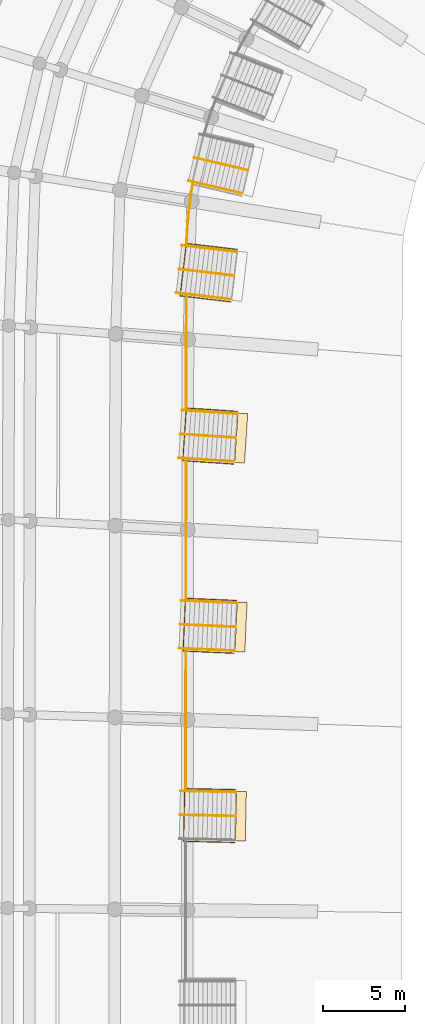
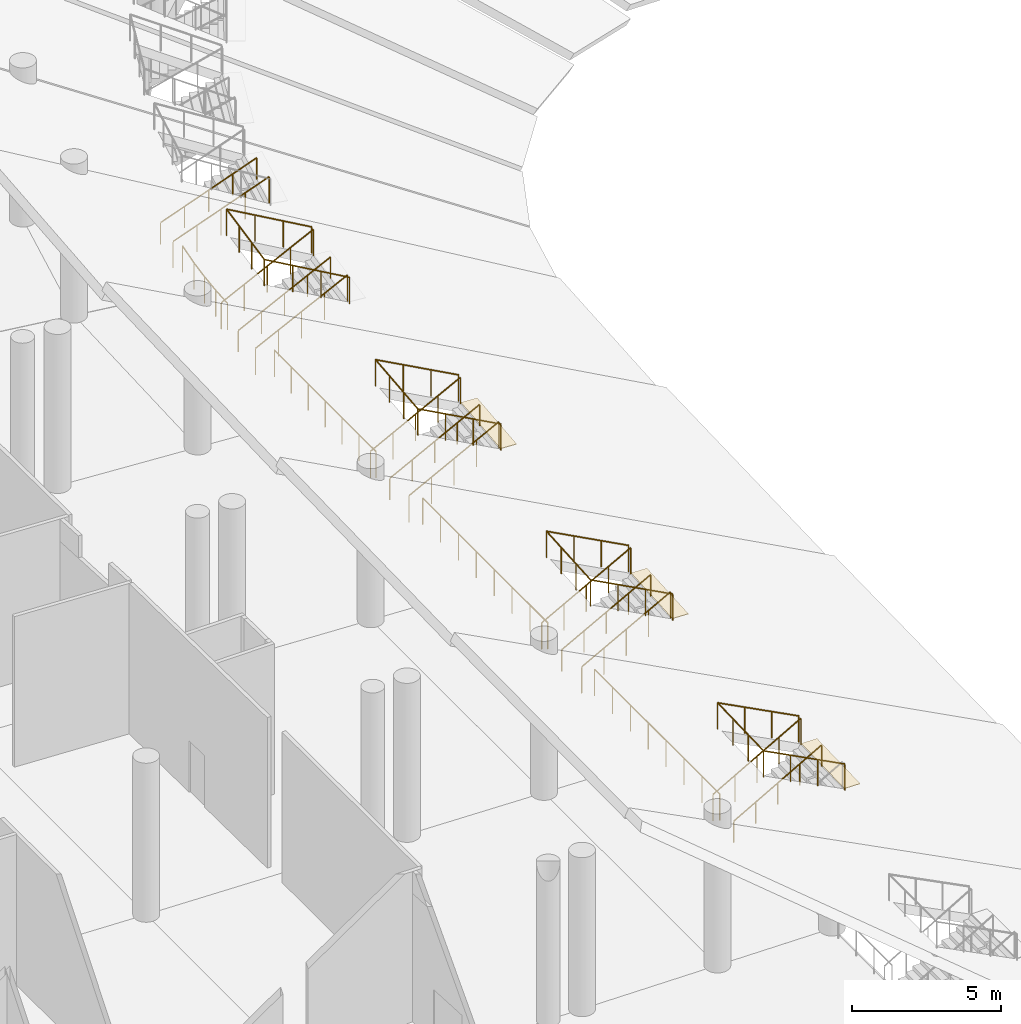
# One storey, part 228 of 255: 21 railings, 3 coverings.
"""IFC4 building model written with IfcOpenShell, lengths in metres."""

from ifc_helpers import new_model, si_unit, direction, frame, origin, origin_2d, place, context, subcontext, project, spatial, rectangle, circle, extrude, material, layer, layer_set, type_object, element, save


model = new_model("IFC4")

# Units and contexts
model_context = context("Model", 3, precision=1e-05, world=origin(), true_north=direction((0.0, 1.0)))
body_context = subcontext(model_context, "Body", "Model", "MODEL_VIEW")
ifc_project = project(units=[si_unit("LENGTHUNIT", "METRE"), si_unit("AREAUNIT", "SQUARE_METRE"), si_unit("VOLUMEUNIT", "CUBIC_METRE"), si_unit("PLANEANGLEUNIT", "RADIAN"), si_unit("MASSUNIT", "GRAM", prefix="KILO")], contexts=[model_context])

# Site, building, storey
site_placement = place(None, origin())
site = spatial("IfcSite", under=ifc_project, at=site_placement, CompositionType="ELEMENT")
building_placement = place(site_placement, origin())
building = spatial("IfcBuilding", under=site, at=building_placement, Name="Meseta Stadium", CompositionType="ELEMENT")
storey_placement = place(building_placement, origin())
storey = spatial("IfcBuildingStorey", under=building, at=storey_placement, Name="L00", CompositionType="ELEMENT", Elevation=0.0)

# Railings
ifc_material_1 = material(Name="Steel S355", Category="steel")
railing_type_1 = type_object("IfcRailingType", Name="Plate edge guard 1100", PredefinedType="GUARDRAIL", material=ifc_material_1)
railing_1_placement = place(storey_placement, frame((-53.679931640625, 49.806640625, 0.0)))
element("IfcRailing", 1, at=railing_1_placement, inside=storey, type_object=railing_type_1, Name="L00 inner edge guard 29", PredefinedType="GUARDRAIL", context=body_context, shape_type="SweptSolid", body=[
    extrude(circle(Radius=0.02490234375, at=origin_2d()), frame((0.0, 0.0, 1.0751953125), z_axis=(-0.150740722713, -0.988573332897, 0.0), x_axis=(0.988573332897, -0.150740722713, 0.0)), (0.0, 0.0, 1.0), 1.059326171875),
    extrude(circle(Radius=0.02490234375, at=origin_2d()), frame((-0.15966796875, -1.047119140625, 1.0751953125), z_axis=(-0.112509767376, -0.993650618802, 0.0), x_axis=(0.993650618802, -0.112509767376, 0.0)), (0.0, 0.0, 1.0), 0.876708984375),
    extrude(circle(Radius=0.02490234375, at=origin_2d()), frame((-0.25830078125, -1.918212890625, 1.0751953125), z_axis=(-0.080210130569, -0.99677797676, 0.0), x_axis=(0.99677797676, -0.080210130569, 0.0)), (0.0, 0.0, 1.0), 0.876708984375),
    extrude(circle(Radius=0.02490234375, at=origin_2d()), frame((-0.32861328125, -2.7919921875, 1.0751953125), z_axis=(-0.047537937473, -0.99886943316, 0.0), x_axis=(0.99886943316, -0.047537937473, 0.0)), (0.0, 0.0, 1.0), 0.8525390625),
    extrude(circle(Radius=0.02001953125, at=origin_2d()), origin(), (0.0, 0.0, 1.0), 1.050048828125),
    extrude(circle(Radius=0.02001953125, at=origin_2d()), frame((-0.15966796875, -1.047119140625, 0.0)), (0.0, 0.0, 1.0), 1.050048828125),
    extrude(circle(Radius=0.02001953125, at=origin_2d()), frame((-0.25830078125, -1.918212890625, 0.0)), (0.0, 0.0, 1.0), 1.050048828125),
    extrude(circle(Radius=0.02001953125, at=origin_2d()), frame((-0.32861328125, -2.7919921875, 0.0)), (0.0, 0.0, 1.0), 1.050048828125),
    extrude(circle(Radius=0.02001953125, at=origin_2d()), frame((-0.369140625, -3.6435546875, 0.0)), (0.0, 0.0, 1.0), 1.050048828125),
])
railing_2_placement = place(storey_placement, frame((-54.056640625, 43.001953125, 0.0)))
element("IfcRailing", 2, at=railing_2_placement, inside=storey, type_object=railing_type_1, Name="L00 inner edge guard 30", PredefinedType="GUARDRAIL", context=body_context, shape_type="SweptSolid", body=[
    extrude(circle(Radius=0.02490234375, at=origin_2d()), frame((0.0, 0.0, 1.0751953125), z_axis=(-0.001861794124, -0.99999826686, 0.0), x_axis=(0.99999826686, -0.001861794124, 0.0)), (0.0, 0.0, 1.0), 6.81884765625),
    extrude(circle(Radius=0.02001953125, at=origin_2d()), origin(), (0.0, 0.0, 1.0), 1.050048828125),
    extrude(circle(Radius=0.02001953125, at=origin_2d()), frame((-0.002197265625, -1.136474609375, 0.0)), (0.0, 0.0, 1.0), 1.050048828125),
    extrude(circle(Radius=0.02001953125, at=origin_2d()), frame((-0.004150390625, -2.27294921875, 0.0)), (0.0, 0.0, 1.0), 1.050048828125),
    extrude(circle(Radius=0.02001953125, at=origin_2d()), frame((-0.00634765625, -3.409423828125, 0.0)), (0.0, 0.0, 1.0), 1.050048828125),
    extrude(circle(Radius=0.02001953125, at=origin_2d()), frame((-0.008544921875, -4.5458984375, 0.0)), (0.0, 0.0, 1.0), 1.050048828125),
    extrude(circle(Radius=0.02001953125, at=origin_2d()), frame((-0.010498046875, -5.682373046875, 0.0)), (0.0, 0.0, 1.0), 1.050048828125),
    extrude(circle(Radius=0.02001953125, at=origin_2d()), frame((-0.0126953125, -6.81884765625, 0.0)), (0.0, 0.0, 1.0), 1.050048828125),
])
railing_3_placement = place(storey_placement, frame((-54.074462890625, 33.03662109375, 0.0)))
element("IfcRailing", 3, at=railing_3_placement, inside=storey, type_object=railing_type_1, Name="L00 inner edge guard 31", PredefinedType="GUARDRAIL", context=body_context, shape_type="SweptSolid", body=[
    extrude(circle(Radius=0.02490234375, at=origin_2d()), frame((0.0, 0.0, 1.0751953125), z_axis=(-0.001338375292, -0.999999104375, 0.0), x_axis=(0.999999104375, -0.001338375292, 0.0)), (0.0, 0.0, 1.0), 8.39111328125),
    extrude(circle(Radius=0.02001953125, at=origin_2d()), origin(), (0.0, 0.0, 1.0), 1.050048828125),
    extrude(circle(Radius=0.02001953125, at=origin_2d()), frame((-0.001708984375, -1.19873046875, 0.0)), (0.0, 0.0, 1.0), 1.050048828125),
    extrude(circle(Radius=0.02001953125, at=origin_2d()), frame((-0.003173828125, -2.3974609375, 0.0)), (0.0, 0.0, 1.0), 1.050048828125),
    extrude(circle(Radius=0.02001953125, at=origin_2d()), frame((-0.0048828125, -3.59619140625, 0.0)), (0.0, 0.0, 1.0), 1.050048828125),
    extrude(circle(Radius=0.02001953125, at=origin_2d()), frame((-0.00634765625, -4.794921875, 0.0)), (0.0, 0.0, 1.0), 1.050048828125),
    extrude(circle(Radius=0.02001953125, at=origin_2d()), frame((-0.008056640625, -5.99365234375, 0.0)), (0.0, 0.0, 1.0), 1.050048828125),
    extrude(circle(Radius=0.02001953125, at=origin_2d()), frame((-0.009521484375, -7.1923828125, 0.0)), (0.0, 0.0, 1.0), 1.050048828125),
    extrude(circle(Radius=0.02001953125, at=origin_2d()), frame((-0.01123046875, -8.39111328125, 0.0)), (0.0, 0.0, 1.0), 1.050048828125),
])
railing_4_placement = place(storey_placement, frame((-54.089111328125, 21.50244140625, 0.0)))
element("IfcRailing", 4, at=railing_4_placement, inside=storey, type_object=railing_type_1, Name="L00 inner edge guard 32", PredefinedType="GUARDRAIL", context=body_context, shape_type="SweptSolid", body=[
    extrude(circle(Radius=0.02490234375, at=origin_2d()), frame((0.0, 0.0, 1.0751953125), z_axis=(-0.000814284613, -0.99999966847, 0.0), x_axis=(0.99999966847, -0.000814284613, 0.0)), (0.0, 0.0, 1.0), 8.39501953125),
    extrude(circle(Radius=0.02001953125, at=origin_2d()), origin(), (0.0, 0.0, 1.0), 1.050048828125),
    extrude(circle(Radius=0.02001953125, at=origin_2d()), frame((-0.0009765625, -1.19921875, 0.0)), (0.0, 0.0, 1.0), 1.050048828125),
    extrude(circle(Radius=0.02001953125, at=origin_2d()), frame((-0.001953125, -2.398681640625, 0.0)), (0.0, 0.0, 1.0), 1.050048828125),
    extrude(circle(Radius=0.02001953125, at=origin_2d()), frame((-0.0029296875, -3.597900390625, 0.0)), (0.0, 0.0, 1.0), 1.050048828125),
    extrude(circle(Radius=0.02001953125, at=origin_2d()), frame((-0.00390625, -4.797119140625, 0.0)), (0.0, 0.0, 1.0), 1.050048828125),
    extrude(circle(Radius=0.02001953125, at=origin_2d()), frame((-0.0048828125, -5.996337890625, 0.0)), (0.0, 0.0, 1.0), 1.050048828125),
    extrude(circle(Radius=0.02001953125, at=origin_2d()), frame((-0.005859375, -7.19580078125, 0.0)), (0.0, 0.0, 1.0), 1.050048828125),
    extrude(circle(Radius=0.02001953125, at=origin_2d()), frame((-0.0068359375, -8.39501953125, 0.0)), (0.0, 0.0, 1.0), 1.050048828125),
])

# Coverings
ifc_material_2 = material(Name="Stone paving", Category="masonry")
ifc_layer = layer(ifc_material_2, 0.02001953125)
ifc_layer_set = layer_set([ifc_layer], Name="Vomitory exit threshold plate 20")
covering_type = type_object("IfcCoveringType", Name="Vomitory exit threshold plate 20", PredefinedType="FLOORING", material=ifc_layer_set)
for number, where, z_axis, x_axis, name in (
    (5, (-50.737060546875, 34.390380859375, 2.130615234375), (0.0, 0.0, 1.0), (0.997842912451, -0.065646950207, 0.0), "Vomitory V-lower-30 exit threshold"),
    (6, (-50.748779296875, 22.927490234375, 2.130615234375), (0.0, 0.0, 1.0), (0.999039522965, -0.043818164662, 0.0), "Vomitory V-lower-31 exit threshold"),
    (7, (-50.755859375, 11.4638671875, 2.130615234375), (0.0, 0.0, 1.0), (0.999759622364, -0.021924814479, 0.0), "Vomitory V-lower-32 exit threshold"),
):
    element("IfcCovering", number, at=place(storey_placement, frame(where, z_axis=z_axis, x_axis=x_axis)), inside=storey, type_object=covering_type, Name=name, PredefinedType="FLOORING", context=body_context, shape_type="SweptSolid", body=[
        extrude(rectangle(XDim=0.60009765625, YDim=3.0, at=origin_2d()), origin(), (0.0, 0.0, 1.0), 0.02001953125),
    ])

# Railings
ifc_material_3 = material(Name="Steel S355", Category="steel")
railing_type_2 = type_object("IfcRailingType", Name="Vomitory slot guard 1100", PredefinedType="GUARDRAIL", material=ifc_material_3)
railing_5_placement = place(storey_placement, frame((-51.361083984375, 42.6513671875, 2.24853515625)))
element("IfcRailing", 8, at=railing_5_placement, inside=storey, type_object=railing_type_2, Name="Vomitory V-lower-29 slot guard", PredefinedType="GUARDRAIL", context=body_context, shape_type="SweptSolid", body=[
    extrude(circle(Radius=0.02490234375, at=origin_2d()), frame((0.0, 0.0, 1.0751953125), z_axis=(-0.884593898509, 0.105101654502, 0.454364695967), x_axis=(-0.117983604359, -0.993015543233, 0.0)), (0.0, 0.0, 1.0), 3.479736328125),
    extrude(circle(Radius=0.02490234375, at=origin_2d()), frame((-3.078125, 0.36572265625, 2.65625), z_axis=(0.117947803089, 0.993019796251, 0.0), x_axis=(-0.993019796251, 0.117947803089, 0.0)), (0.0, 0.0, 1.0), 3.199951171875),
    extrude(circle(Radius=0.02490234375, at=origin_2d()), frame((-2.70068359375, 3.54345703125, 2.65625), z_axis=(0.884609156729, -0.105095131793, -0.454336497659), x_axis=(0.117974377502, 0.993016639464, 0.0)), (0.0, 0.0, 1.0), 3.47998046875),
    extrude(circle(Radius=0.02001953125, at=origin_2d()), origin(), (0.0, 0.0, 1.0), 1.050048828125),
    extrude(circle(Radius=0.02001953125, at=origin_2d()), frame((-1.026123046875, 0.121826171875, 0.527099609375)), (0.0, 0.0, 1.0), 1.050048828125),
    extrude(circle(Radius=0.02001953125, at=origin_2d()), frame((-2.052001953125, 0.243896484375, 1.053955078125)), (0.0, 0.0, 1.0), 1.050048828125),
    extrude(circle(Radius=0.02001953125, at=origin_2d()), frame((-3.078125, 0.36572265625, 1.5810546875)), (0.0, 0.0, 1.0), 1.050048828125),
    extrude(circle(Radius=0.02001953125, at=origin_2d()), frame((-2.952392578125, 1.425048828125, 1.5810546875)), (0.0, 0.0, 1.0), 1.050048828125),
    extrude(circle(Radius=0.02001953125, at=origin_2d()), frame((-2.826416015625, 2.484130859375, 1.5810546875)), (0.0, 0.0, 1.0), 1.050048828125),
    extrude(circle(Radius=0.02001953125, at=origin_2d()), frame((-2.70068359375, 3.54345703125, 1.5810546875)), (0.0, 0.0, 1.0), 1.050048828125),
    extrude(circle(Radius=0.02001953125, at=origin_2d()), frame((-1.674560546875, 3.421630859375, 1.053955078125)), (0.0, 0.0, 1.0), 1.050048828125),
    extrude(circle(Radius=0.02001953125, at=origin_2d()), frame((-0.6484375, 3.299560546875, 0.527099609375)), (0.0, 0.0, 1.0), 1.050048828125),
    extrude(circle(Radius=0.02001953125, at=origin_2d()), frame((0.377685546875, 3.177734375, 0.0)), (0.0, 0.0, 1.0), 1.050048828125),
])
railing_6_placement = place(storey_placement, frame((-51.1826171875, 32.81640625, 2.150634765625)))
element("IfcRailing", 9, at=railing_6_placement, inside=storey, type_object=railing_type_2, Name="Vomitory V-lower-30 slot guard", PredefinedType="GUARDRAIL", context=body_context, shape_type="SweptSolid", body=[
    extrude(circle(Radius=0.02490234375, at=origin_2d()), frame((0.0, 0.0, 1.0751953125), z_axis=(-0.888902795646, 0.058511833589, 0.454343686236), x_axis=(-0.06568263854, -0.997840563915, 0.0)), (0.0, 0.0, 1.0), 3.47998046875),
    extrude(circle(Radius=0.02490234375, at=origin_2d()), frame((-3.09326171875, 0.20361328125, 2.65625), z_axis=(0.065617568946, 0.997844844976, 0.0), x_axis=(-0.997844844976, 0.065617568946, 0.0)), (0.0, 0.0, 1.0), 3.19970703125),
    extrude(circle(Radius=0.02490234375, at=origin_2d()), frame((-2.88330078125, 3.396484375, 2.65625), z_axis=(0.888906442496, -0.05844191528, -0.454345550245), x_axis=(0.065604221541, 0.997845722602, 0.0)), (0.0, 0.0, 1.0), 3.479736328125),
    extrude(circle(Radius=0.02001953125, at=origin_2d()), origin(), (0.0, 0.0, 1.0), 1.050048828125),
    extrude(circle(Radius=0.02001953125, at=origin_2d()), frame((-1.031005859375, 0.06787109375, 0.527099609375)), (0.0, 0.0, 1.0), 1.050048828125),
    extrude(circle(Radius=0.02001953125, at=origin_2d()), frame((-2.062255859375, 0.1357421875, 1.053955078125)), (0.0, 0.0, 1.0), 1.050048828125),
    extrude(circle(Radius=0.02001953125, at=origin_2d()), frame((-3.09326171875, 0.20361328125, 1.5810546875)), (0.0, 0.0, 1.0), 1.050048828125),
    extrude(circle(Radius=0.02001953125, at=origin_2d()), frame((-3.023193359375, 1.267822265625, 1.5810546875)), (0.0, 0.0, 1.0), 1.050048828125),
    extrude(circle(Radius=0.02001953125, at=origin_2d()), frame((-2.953369140625, 2.332275390625, 1.5810546875)), (0.0, 0.0, 1.0), 1.050048828125),
    extrude(circle(Radius=0.02001953125, at=origin_2d()), frame((-2.88330078125, 3.396484375, 1.5810546875)), (0.0, 0.0, 1.0), 1.050048828125),
    extrude(circle(Radius=0.02001953125, at=origin_2d()), frame((-1.852294921875, 3.32861328125, 1.053955078125)), (0.0, 0.0, 1.0), 1.050048828125),
    extrude(circle(Radius=0.02001953125, at=origin_2d()), frame((-0.821044921875, 3.260986328125, 0.527099609375)), (0.0, 0.0, 1.0), 1.050048828125),
    extrude(circle(Radius=0.02001953125, at=origin_2d()), frame((0.2099609375, 3.193115234375, 0.0)), (0.0, 0.0, 1.0), 1.050048828125),
])
railing_7_placement = place(storey_placement, frame((-51.159912109375, 21.343994140625, 2.150634765625)))
element("IfcRailing", 10, at=railing_7_placement, inside=storey, type_object=railing_type_2, Name="Vomitory V-lower-31 slot guard", PredefinedType="GUARDRAIL", context=body_context, shape_type="SweptSolid", body=[
    extrude(circle(Radius=0.02490234375, at=origin_2d()), frame((0.0, 0.0, 1.0751953125), z_axis=(-0.889968516621, 0.039008474201, 0.454350501666), x_axis=(-0.043789253415, -0.999040790601, 0.0)), (0.0, 0.0, 1.0), 3.479736328125),
    extrude(circle(Radius=0.02490234375, at=origin_2d()), frame((-3.096923828125, 0.1357421875, 2.65625), z_axis=(0.04379147445, 0.999040693248, 0.0), x_axis=(-0.999040693248, 0.04379147445, 0.0)), (0.0, 0.0, 1.0), 3.2001953125),
    extrude(circle(Radius=0.02490234375, at=origin_2d()), frame((-2.956787109375, 3.332763671875, 2.65625), z_axis=(0.889983105268, -0.039006038667, -0.454322133826), x_axis=(0.043785808256, 0.999040941601, 0.0)), (0.0, 0.0, 1.0), 3.47998046875),
    extrude(circle(Radius=0.02001953125, at=origin_2d()), origin(), (0.0, 0.0, 1.0), 1.050048828125),
    extrude(circle(Radius=0.02001953125, at=origin_2d()), frame((-1.0322265625, 0.045166015625, 0.527099609375)), (0.0, 0.0, 1.0), 1.050048828125),
    extrude(circle(Radius=0.02001953125, at=origin_2d()), frame((-2.064697265625, 0.090576171875, 1.053955078125)), (0.0, 0.0, 1.0), 1.050048828125),
    extrude(circle(Radius=0.02001953125, at=origin_2d()), frame((-3.096923828125, 0.1357421875, 1.5810546875)), (0.0, 0.0, 1.0), 1.050048828125),
    extrude(circle(Radius=0.02001953125, at=origin_2d()), frame((-3.05029296875, 1.201416015625, 1.5810546875)), (0.0, 0.0, 1.0), 1.050048828125),
    extrude(circle(Radius=0.02001953125, at=origin_2d()), frame((-3.00341796875, 2.26708984375, 1.5810546875)), (0.0, 0.0, 1.0), 1.050048828125),
    extrude(circle(Radius=0.02001953125, at=origin_2d()), frame((-2.956787109375, 3.332763671875, 1.5810546875)), (0.0, 0.0, 1.0), 1.050048828125),
    extrude(circle(Radius=0.02001953125, at=origin_2d()), frame((-1.92431640625, 3.28759765625, 1.053955078125)), (0.0, 0.0, 1.0), 1.050048828125),
    extrude(circle(Radius=0.02001953125, at=origin_2d()), frame((-0.89208984375, 3.2421875, 0.527099609375)), (0.0, 0.0, 1.0), 1.050048828125),
    extrude(circle(Radius=0.02001953125, at=origin_2d()), frame((0.140380859375, 3.197021484375, 0.0)), (0.0, 0.0, 1.0), 1.050048828125),
])
railing_8_placement = place(storey_placement, frame((-51.132080078125, 9.871826171875, 2.150634765625)))
element("IfcRailing", 11, at=railing_8_placement, inside=storey, type_object=railing_type_2, Name="Vomitory V-lower-32 slot guard", PredefinedType="GUARDRAIL", context=body_context, shape_type="SweptSolid", body=[
    extrude(circle(Radius=0.02490234375, at=origin_2d()), frame((0.0, 0.0, 1.0751953125), z_axis=(-0.890607491186, 0.019504402281, 0.454354349529), x_axis=(-0.021894860368, -0.999760278812, 0.0)), (0.0, 0.0, 1.0), 3.479736328125),
    extrude(circle(Radius=0.02490234375, at=origin_2d()), frame((-3.09912109375, 0.06787109375, 2.65625), z_axis=(0.021896458331, 0.999760243815, 0.0), x_axis=(-0.999760243815, 0.021896458331, 0.0)), (0.0, 0.0, 1.0), 3.199951171875),
    extrude(circle(Radius=0.02490234375, at=origin_2d()), frame((-3.029052734375, 3.26708984375, 2.65625), z_axis=(0.890607491186, -0.019504402281, -0.454354349529), x_axis=(0.021894860368, 0.999760278812, 0.0)), (0.0, 0.0, 1.0), 3.479736328125),
    extrude(circle(Radius=0.02001953125, at=origin_2d()), origin(), (0.0, 0.0, 1.0), 1.050048828125),
    extrude(circle(Radius=0.02001953125, at=origin_2d()), frame((-1.032958984375, 0.022705078125, 0.527099609375)), (0.0, 0.0, 1.0), 1.050048828125),
    extrude(circle(Radius=0.02001953125, at=origin_2d()), frame((-2.066162109375, 0.045166015625, 1.053955078125)), (0.0, 0.0, 1.0), 1.050048828125),
    extrude(circle(Radius=0.02001953125, at=origin_2d()), frame((-3.09912109375, 0.06787109375, 1.5810546875)), (0.0, 0.0, 1.0), 1.050048828125),
    extrude(circle(Radius=0.02001953125, at=origin_2d()), frame((-3.07568359375, 1.13427734375, 1.5810546875)), (0.0, 0.0, 1.0), 1.050048828125),
    extrude(circle(Radius=0.02001953125, at=origin_2d()), frame((-3.052490234375, 2.20068359375, 1.5810546875)), (0.0, 0.0, 1.0), 1.050048828125),
    extrude(circle(Radius=0.02001953125, at=origin_2d()), frame((-3.029052734375, 3.26708984375, 1.5810546875)), (0.0, 0.0, 1.0), 1.050048828125),
    extrude(circle(Radius=0.02001953125, at=origin_2d()), frame((-1.99609375, 3.244384765625, 1.053955078125)), (0.0, 0.0, 1.0), 1.050048828125),
    extrude(circle(Radius=0.02001953125, at=origin_2d()), frame((-0.962890625, 3.221923828125, 0.527099609375)), (0.0, 0.0, 1.0), 1.050048828125),
    extrude(circle(Radius=0.02001953125, at=origin_2d()), frame((0.070068359375, 3.19921875, 0.0)), (0.0, 0.0, 1.0), 1.050048828125),
])
ifc_material_4 = material(Name="Steel S355", Category="steel")
railing_type_3 = type_object("IfcRailingType", Name="Vomitory stair guard 1100", PredefinedType="GUARDRAIL", material=ifc_material_4)
railing_9_placement = place(storey_placement, frame((-53.939697265625, 49.9912109375, 0.164306640625)))
element("IfcRailing", 12, at=railing_9_placement, inside=storey, type_object=railing_type_3, Name="Vomitory V-lower-28 guard right", PredefinedType="GUARDRAIL", context=body_context, shape_type="SweptSolid", body=[
    extrude(circle(Radius=0.02490234375, at=origin_2d()), frame((0.0, 0.0, 1.0751953125), z_axis=(0.839234260702, -0.198045501909, 0.506422585237), x_axis=(0.229675110704, 0.973267354596, 0.0)), (0.0, 0.0, 1.0), 3.896728515625),
    extrude(circle(Radius=0.02001953125, at=origin_2d()), origin(), (0.0, 0.0, 1.0), 1.050048828125),
    extrude(circle(Radius=0.02001953125, at=origin_2d()), frame((0.817626953125, -0.19287109375, 0.493408203125)), (0.0, 0.0, 1.0), 1.050048828125),
    extrude(circle(Radius=0.02001953125, at=origin_2d()), frame((1.63525390625, -0.3857421875, 0.98681640625)), (0.0, 0.0, 1.0), 1.050048828125),
    extrude(circle(Radius=0.02001953125, at=origin_2d()), frame((2.45263671875, -0.578857421875, 1.47998046875)), (0.0, 0.0, 1.0), 1.050048828125),
    extrude(circle(Radius=0.02001953125, at=origin_2d()), frame((3.270263671875, -0.771728515625, 1.973388671875)), (0.0, 0.0, 1.0), 1.050048828125),
])
for number, where, name in (
    (13, (-54.337646484375, 46.07666015625, 0.173095703125), "Vomitory V-lower-29 guard left"),
    (14, (-54.6796875, 43.19677734375, 0.173095703125), "Vomitory V-lower-29 guard right"),
):
    element("IfcRailing", number, at=place(storey_placement, frame(where)), inside=storey, type_object=railing_type_3, Name=name, PredefinedType="GUARDRAIL", context=body_context, shape_type="SweptSolid", body=[
        extrude(circle(Radius=0.02490234375, at=origin_2d()), frame((0.0, 0.0, 1.0751953125), z_axis=(0.844830304724, -0.100395464282, 0.525530690799), x_axis=(0.118004767911, 0.99301302849, 0.0)), (0.0, 0.0, 1.0), 3.94921875),
        extrude(circle(Radius=0.02001953125, at=origin_2d()), origin(), (0.0, 0.0, 1.0), 1.050048828125),
        extrude(circle(Radius=0.02001953125, at=origin_2d()), frame((0.833984375, -0.09912109375, 0.518798828125)), (0.0, 0.0, 1.0), 1.050048828125),
        extrude(circle(Radius=0.02001953125, at=origin_2d()), frame((1.668212890625, -0.1982421875, 1.03759765625)), (0.0, 0.0, 1.0), 1.050048828125),
        extrude(circle(Radius=0.02001953125, at=origin_2d()), frame((2.50244140625, -0.29736328125, 1.556640625)), (0.0, 0.0, 1.0), 1.050048828125),
        extrude(circle(Radius=0.02001953125, at=origin_2d()), frame((3.33642578125, -0.396484375, 2.075439453125)), (0.0, 0.0, 1.0), 1.050048828125),
    ])
for number, where, name in (
    (15, (-54.335205078125, 36.080322265625, 0.165283203125), "Vomitory V-lower-30 guard left"),
    (16, (-54.525634765625, 33.1865234375, 0.165283203125), "Vomitory V-lower-30 guard right"),
):
    element("IfcRailing", number, at=place(storey_placement, frame(where)), inside=storey, type_object=railing_type_3, Name=name, PredefinedType="GUARDRAIL", context=body_context, shape_type="SweptSolid", body=[
        extrude(circle(Radius=0.02490234375, at=origin_2d()), frame((0.0, 0.0, 1.0751953125), z_axis=(0.859084475855, -0.056488260518, 0.50870712573), x_axis=(0.06561233567, 0.997845189099, 0.0)), (0.0, 0.0, 1.0), 3.90283203125),
        extrude(circle(Radius=0.02001953125, at=origin_2d()), origin(), (0.0, 0.0, 1.0), 1.050048828125),
        extrude(circle(Radius=0.02001953125, at=origin_2d()), frame((0.838134765625, -0.05517578125, 0.496337890625)), (0.0, 0.0, 1.0), 1.050048828125),
        extrude(circle(Radius=0.02001953125, at=origin_2d()), frame((1.67626953125, -0.1103515625, 0.99267578125)), (0.0, 0.0, 1.0), 1.050048828125),
        extrude(circle(Radius=0.02001953125, at=origin_2d()), frame((2.5146484375, -0.165283203125, 1.489013671875)), (0.0, 0.0, 1.0), 1.050048828125),
        extrude(circle(Radius=0.02001953125, at=origin_2d()), frame((3.352783203125, -0.220458984375, 1.9853515625)), (0.0, 0.0, 1.0), 1.050048828125),
    ])
for number, where, name in (
    (17, (-54.3828125, 24.538330078125, 0.165283203125), "Vomitory V-lower-31 guard left"),
    (18, (-54.510009765625, 21.64111328125, 0.165283203125), "Vomitory V-lower-31 guard right"),
):
    element("IfcRailing", number, at=place(storey_placement, frame(where)), inside=storey, type_object=railing_type_3, Name=name, PredefinedType="GUARDRAIL", context=body_context, shape_type="SweptSolid", body=[
        extrude(circle(Radius=0.02490234375, at=origin_2d()), frame((0.0, 0.0, 1.0751953125), z_axis=(0.860105718609, -0.037722288772, 0.508719158028), x_axis=(0.043815615664, 0.999039634761, 0.0)), (0.0, 0.0, 1.0), 3.902587890625),
        extrude(circle(Radius=0.02001953125, at=origin_2d()), origin(), (0.0, 0.0, 1.0), 1.050048828125),
        extrude(circle(Radius=0.02001953125, at=origin_2d()), frame((0.839111328125, -0.036865234375, 0.496337890625)), (0.0, 0.0, 1.0), 1.050048828125),
        extrude(circle(Radius=0.02001953125, at=origin_2d()), frame((1.67822265625, -0.07373046875, 0.99267578125)), (0.0, 0.0, 1.0), 1.050048828125),
        extrude(circle(Radius=0.02001953125, at=origin_2d()), frame((2.517578125, -0.1103515625, 1.489013671875)), (0.0, 0.0, 1.0), 1.050048828125),
        extrude(circle(Radius=0.02001953125, at=origin_2d()), frame((3.356689453125, -0.147216796875, 1.9853515625)), (0.0, 0.0, 1.0), 1.050048828125),
    ])
railing_10_placement = place(storey_placement, frame((-54.42431640625, 12.99462890625, 0.165283203125)))
element("IfcRailing", 19, at=railing_10_placement, inside=storey, type_object=railing_type_3, Name="Vomitory V-lower-32 guard left", PredefinedType="GUARDRAIL", context=body_context, shape_type="SweptSolid", body=[
    extrude(circle(Radius=0.02490234375, at=origin_2d()), frame((0.0, 0.0, 1.0751953125), z_axis=(0.860726790282, -0.018892324345, 0.508716495281), x_axis=(0.021943984224, 0.999759201786, 0.0)), (0.0, 0.0, 1.0), 3.902587890625),
    extrude(circle(Radius=0.02001953125, at=origin_2d()), origin(), (0.0, 0.0, 1.0), 1.050048828125),
    extrude(circle(Radius=0.02001953125, at=origin_2d()), frame((0.83984375, -0.0185546875, 0.496337890625)), (0.0, 0.0, 1.0), 1.050048828125),
    extrude(circle(Radius=0.02001953125, at=origin_2d()), frame((1.6796875, -0.036865234375, 0.99267578125)), (0.0, 0.0, 1.0), 1.050048828125),
    extrude(circle(Radius=0.02001953125, at=origin_2d()), frame((2.519287109375, -0.05517578125, 1.489013671875)), (0.0, 0.0, 1.0), 1.050048828125),
    extrude(circle(Radius=0.02001953125, at=origin_2d()), frame((3.359130859375, -0.07373046875, 1.9853515625)), (0.0, 0.0, 1.0), 1.050048828125),
])
ifc_material_5 = material(Name="Steel S355", Category="steel")
railing_type_4 = type_object("IfcRailingType", Name="Vomitory stair handrail 900", PredefinedType="HANDRAIL", material=ifc_material_5)
railing_11_placement = place(storey_placement, frame((-53.606689453125, 51.402587890625, 0.164306640625)))
element("IfcRailing", 20, at=railing_11_placement, inside=storey, type_object=railing_type_4, Name="Vomitory V-lower-28 central handrail", PredefinedType="HANDRAIL", context=body_context, shape_type="SweptSolid", body=[
    extrude(circle(Radius=0.02490234375, at=origin_2d()), frame((0.0, 0.0, 0.875), z_axis=(0.839223845941, -0.19810569622, 0.506416300615), x_axis=(0.229743935175, 0.973251110583, 0.0)), (0.0, 0.0, 1.0), 3.896728515625),
    extrude(circle(Radius=0.02001953125, at=origin_2d()), origin(), (0.0, 0.0, 1.0), 0.849853515625),
    extrude(circle(Radius=0.02001953125, at=origin_2d()), frame((0.817626953125, -0.19287109375, 0.493408203125)), (0.0, 0.0, 1.0), 0.849853515625),
    extrude(circle(Radius=0.02001953125, at=origin_2d()), frame((1.63525390625, -0.385986328125, 0.98681640625)), (0.0, 0.0, 1.0), 0.849853515625),
    extrude(circle(Radius=0.02001953125, at=origin_2d()), frame((2.45263671875, -0.5791015625, 1.47998046875)), (0.0, 0.0, 1.0), 0.849853515625),
    extrude(circle(Radius=0.02001953125, at=origin_2d()), frame((3.270263671875, -0.77197265625, 1.973388671875)), (0.0, 0.0, 1.0), 0.849853515625),
])
railing_12_placement = place(storey_placement, frame((-54.5087890625, 44.63671875, 0.173095703125)))
element("IfcRailing", 21, at=railing_12_placement, inside=storey, type_object=railing_type_4, Name="Vomitory V-lower-29 central handrail", PredefinedType="HANDRAIL", context=body_context, shape_type="SweptSolid", body=[
    extrude(circle(Radius=0.02490234375, at=origin_2d()), frame((0.0, 0.0, 0.875), z_axis=(0.844848000001, -0.100390221117, 0.525503244897), x_axis=(0.117996253847, 0.993014040222, 0.0)), (0.0, 0.0, 1.0), 3.949462890625),
    extrude(circle(Radius=0.02001953125, at=origin_2d()), origin(), (0.0, 0.0, 1.0), 0.849853515625),
    extrude(circle(Radius=0.02001953125, at=origin_2d()), frame((0.834228515625, -0.09912109375, 0.518798828125)), (0.0, 0.0, 1.0), 0.849853515625),
    extrude(circle(Radius=0.02001953125, at=origin_2d()), frame((1.66845703125, -0.1982421875, 1.03759765625)), (0.0, 0.0, 1.0), 0.849853515625),
    extrude(circle(Radius=0.02001953125, at=origin_2d()), frame((2.50244140625, -0.29736328125, 1.556640625)), (0.0, 0.0, 1.0), 0.849853515625),
    extrude(circle(Radius=0.02001953125, at=origin_2d()), frame((3.336669921875, -0.396484375, 2.075439453125)), (0.0, 0.0, 1.0), 0.849853515625),
])
railing_13_placement = place(storey_placement, frame((-54.430419921875, 34.633544921875, 0.165283203125)))
element("IfcRailing", 22, at=railing_13_placement, inside=storey, type_object=railing_type_4, Name="Vomitory V-lower-30 central handrail", PredefinedType="HANDRAIL", context=body_context, shape_type="SweptSolid", body=[
    extrude(circle(Radius=0.02490234375, at=origin_2d()), frame((0.0, 0.0, 0.875), z_axis=(0.85908143845, -0.056550616789, 0.50870532713), x_axis=(0.065684682745, 0.997840429354, 0.0)), (0.0, 0.0, 1.0), 3.90283203125),
    extrude(circle(Radius=0.02001953125, at=origin_2d()), origin(), (0.0, 0.0, 1.0), 0.849853515625),
    extrude(circle(Radius=0.02001953125, at=origin_2d()), frame((0.838134765625, -0.05517578125, 0.496337890625)), (0.0, 0.0, 1.0), 0.849853515625),
    extrude(circle(Radius=0.02001953125, at=origin_2d()), frame((1.67626953125, -0.1103515625, 0.99267578125)), (0.0, 0.0, 1.0), 0.849853515625),
    extrude(circle(Radius=0.02001953125, at=origin_2d()), frame((2.5146484375, -0.16552734375, 1.489013671875)), (0.0, 0.0, 1.0), 0.849853515625),
    extrude(circle(Radius=0.02001953125, at=origin_2d()), frame((3.352783203125, -0.220703125, 1.9853515625)), (0.0, 0.0, 1.0), 0.849853515625),
])
railing_14_placement = place(storey_placement, frame((-54.446533203125, 23.089599609375, 0.165283203125)))
element("IfcRailing", 23, at=railing_14_placement, inside=storey, type_object=railing_type_4, Name="Vomitory V-lower-31 central handrail", PredefinedType="HANDRAIL", context=body_context, shape_type="SweptSolid", body=[
    extrude(circle(Radius=0.02490234375, at=origin_2d()), frame((0.0, 0.0, 0.875), z_axis=(0.860121995943, -0.037720259168, 0.508691786982), x_axis=(0.043812435191, 0.999039774245, 0.0)), (0.0, 0.0, 1.0), 3.90283203125),
    extrude(circle(Radius=0.02001953125, at=origin_2d()), origin(), (0.0, 0.0, 1.0), 0.849853515625),
    extrude(circle(Radius=0.02001953125, at=origin_2d()), frame((0.83935546875, -0.036865234375, 0.496337890625)), (0.0, 0.0, 1.0), 0.849853515625),
    extrude(circle(Radius=0.02001953125, at=origin_2d()), frame((1.678466796875, -0.07373046875, 0.99267578125)), (0.0, 0.0, 1.0), 0.849853515625),
    extrude(circle(Radius=0.02001953125, at=origin_2d()), frame((2.517578125, -0.1103515625, 1.489013671875)), (0.0, 0.0, 1.0), 0.849853515625),
    extrude(circle(Radius=0.02001953125, at=origin_2d()), frame((3.35693359375, -0.147216796875, 1.9853515625)), (0.0, 0.0, 1.0), 0.849853515625),
])
railing_15_placement = place(storey_placement, frame((-54.456298828125, 11.545166015625, 0.165283203125)))
element("IfcRailing", 24, at=railing_15_placement, inside=storey, type_object=railing_type_4, Name="Vomitory V-lower-32 central handrail", PredefinedType="HANDRAIL", context=body_context, shape_type="SweptSolid", body=[
    extrude(circle(Radius=0.02490234375, at=origin_2d()), frame((0.0, 0.0, 0.875), z_axis=(0.860743000676, -0.018891307137, 0.50868910476), x_axis=(0.021942390226, 0.999759236772, 0.0)), (0.0, 0.0, 1.0), 3.90283203125),
    extrude(circle(Radius=0.02001953125, at=origin_2d()), origin(), (0.0, 0.0, 1.0), 0.849853515625),
    extrude(circle(Radius=0.02001953125, at=origin_2d()), frame((0.83984375, -0.0185546875, 0.496337890625)), (0.0, 0.0, 1.0), 0.849853515625),
    extrude(circle(Radius=0.02001953125, at=origin_2d()), frame((1.6796875, -0.036865234375, 0.99267578125)), (0.0, 0.0, 1.0), 0.849853515625),
    extrude(circle(Radius=0.02001953125, at=origin_2d()), frame((2.51953125, -0.05517578125, 1.489013671875)), (0.0, 0.0, 1.0), 0.849853515625),
    extrude(circle(Radius=0.02001953125, at=origin_2d()), frame((3.359375, -0.07373046875, 1.9853515625)), (0.0, 0.0, 1.0), 0.849853515625),
])

save(model, "model.ifc")
